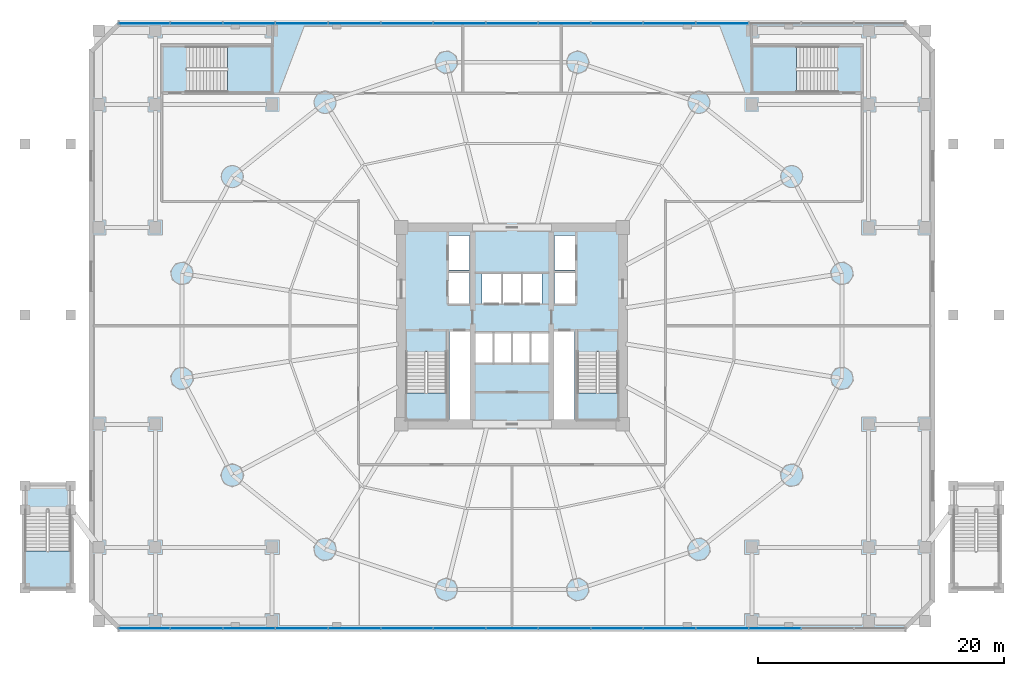
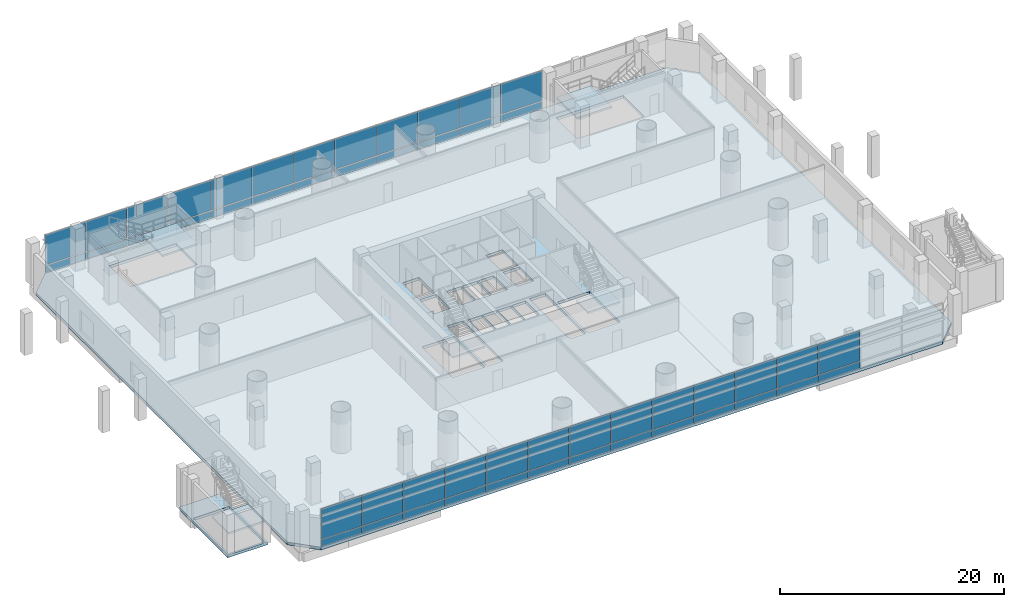
# One storey, part 19 of 36: 50 plates, 7 slabs, 7 elements without a shape of their own.
"""IFC4 building model written with IfcOpenShell, lengths in metres."""

from ifc_helpers import new_model, si_unit, direction, frame, origin, origin_2d, place, context, subcontext, project, spatial, polyline, rectangle, outline, extrude, source, transform, mapped, material, layer, layer_set, type_object, element, aggregate, save


model = new_model("IFC4")

# Units and contexts
model_context = context("Model", 3, precision=1e-05, world=origin(), true_north=direction((-0.2419218956, 0.970295726276)))
body_context = subcontext(model_context, "Body", "Model", "MODEL_VIEW")
ifc_project = project(units=[si_unit("LENGTHUNIT", "METRE"), si_unit("AREAUNIT", "SQUARE_METRE"), si_unit("VOLUMEUNIT", "CUBIC_METRE"), si_unit("PLANEANGLEUNIT", "RADIAN"), si_unit("MASSUNIT", "GRAM", prefix="KILO")], contexts=[model_context])

# Site, building, storey
site_placement = place(None, origin())
site = spatial("IfcSite", under=ifc_project, at=site_placement, CompositionType="ELEMENT")
building_placement = place(site_placement, origin())
building = spatial("IfcBuilding", under=site, at=building_placement, Name="Cobrevalo Terracotta Tower", CompositionType="ELEMENT")
storey_placement = place(building_placement, frame((0.0, 0.0, 5.39990234375)))
storey = spatial("IfcBuildingStorey", under=building, at=storey_placement, Name="L01", CompositionType="ELEMENT", Elevation=5.39990234375)

# Slabs
ifc_material_1 = material(Name="Concrete C50", Category="concrete")
ifc_layer_1 = layer(ifc_material_1, 0.300048828125)
ifc_layer_set_1 = layer_set([ifc_layer_1], Name="Concrete C50")
slab_type_1 = type_object("IfcSlabType", Name="Podium L01-L03 floor slab 300 mm", PredefinedType="FLOOR", material=ifc_layer_set_1)
slab_1_placement = place(storey_placement, frame((0.0, 0.0, -0.2998046875)))
element("IfcSlab", 1, at=slab_1_placement, inside=storey, type_object=slab_type_1, Name="L01 podium indoor floor slab", PredefinedType="FLOOR", context=body_context, shape_type="SweptSolid", body=[
    extrude(outline(polyline([(3.800048828125, 4.39990234375), (3.800048828125, 49.199951171875), (6.0, 51.39990234375), (70.0, 51.39990234375), (72.199951171875, 49.199951171875), (72.199951171875, 4.39990234375), (70.0, 2.199951171875), (6.0, 2.199951171875), (3.800048828125, 4.39990234375)]), holes=[polyline([(29.375, 19.175048828125), (32.695068359375, 19.175048828125), (32.695068359375, 24.659912109375), (29.375, 24.659912109375), (29.375, 19.175048828125)]), polyline([(34.574951171875, 19.175048828125), (34.574951171875, 26.360107421875), (32.919921875, 26.360107421875), (32.919921875, 19.175048828125), (34.574951171875, 19.175048828125)]), polyline([(36.47998046875, 23.800048828125), (36.47998046875, 26.25), (35.050048828125, 26.25), (35.050048828125, 23.800048828125), (36.47998046875, 23.800048828125)]), polyline([(37.9599609375, 23.800048828125), (37.9599609375, 26.25), (36.530029296875, 26.25), (36.530029296875, 23.800048828125), (37.9599609375, 23.800048828125)]), polyline([(37.1201171875, 28.60009765625), (37.1201171875, 31.050048828125), (35.550048828125, 31.050048828125), (35.550048828125, 28.60009765625), (37.1201171875, 28.60009765625)]), polyline([(38.780029296875, 28.60009765625), (38.780029296875, 31.050048828125), (37.219970703125, 31.050048828125), (37.219970703125, 28.60009765625), (38.780029296875, 28.60009765625)]), polyline([(34.550048828125, 28.60009765625), (34.550048828125, 31.10009765625), (32.85009765625, 31.10009765625), (32.85009765625, 28.60009765625), (34.550048828125, 28.60009765625)]), polyline([(34.550048828125, 31.35009765625), (34.550048828125, 34.14990234375), (32.85009765625, 34.14990234375), (32.85009765625, 31.35009765625), (34.550048828125, 31.35009765625)]), polyline([(18.449951171875, 45.800048828125), (18.449951171875, 49.52001953125), (11.5400390625, 49.52001953125), (11.5400390625, 45.800048828125), (18.449951171875, 45.800048828125)]), polyline([(43.304931640625, 19.175048828125), (46.625, 19.175048828125), (46.625, 24.659912109375), (43.304931640625, 24.659912109375), (43.304931640625, 19.175048828125)]), polyline([(43.080078125, 19.175048828125), (43.080078125, 26.360107421875), (41.425048828125, 26.360107421875), (41.425048828125, 19.175048828125), (43.080078125, 19.175048828125)]), polyline([(39.469970703125, 23.800048828125), (39.469970703125, 26.25), (38.0400390625, 26.25), (38.0400390625, 23.800048828125), (39.469970703125, 23.800048828125)]), polyline([(40.949951171875, 23.800048828125), (40.949951171875, 26.25), (39.52001953125, 26.25), (39.52001953125, 23.800048828125), (40.949951171875, 23.800048828125)]), polyline([(40.449951171875, 28.60009765625), (40.449951171875, 31.050048828125), (38.8798828125, 31.050048828125), (38.8798828125, 28.60009765625), (40.449951171875, 28.60009765625)]), polyline([(43.14990234375, 28.60009765625), (43.14990234375, 31.10009765625), (41.449951171875, 31.10009765625), (41.449951171875, 28.60009765625), (43.14990234375, 28.60009765625)]), polyline([(41.449951171875, 31.35009765625), (43.14990234375, 31.35009765625), (43.14990234375, 34.14990234375), (41.449951171875, 34.14990234375), (41.449951171875, 31.35009765625)]), polyline([(64.4599609375, 49.52001953125), (57.550048828125, 49.52001953125), (57.550048828125, 45.800048828125), (64.4599609375, 45.800048828125), (64.4599609375, 49.52001953125)])]), origin(), (0.0, 0.0, 1.0), 0.2998046875),
])
slab_2_placement = place(storey_placement, frame((0.0, 0.0, -0.2998046875)))
element("IfcSlab", 2, at=slab_2_placement, inside=storey, type_object=slab_type_1, Name="L01 West monumental raised-garden stair structural floor landing slab", PredefinedType="FLOOR", context=body_context, shape_type="SweptSolid", body=[
    extrude(outline(polyline([(-1.800048828125, 13.949951171875), (2.320068359375, 13.949951171875), (2.320068359375, 5.300048828125), (-1.800048828125, 5.300048828125), (-1.800048828125, 13.949951171875)]), holes=[polyline([(-1.60009765625, 5.5), (2.1201171875, 5.5), (2.1201171875, 11.800048828125), (-1.60009765625, 11.800048828125), (-1.60009765625, 5.5)])]), origin(), (0.0, 0.0, 1.0), 0.2998046875),
])

# Stair, slab
stair_type_1 = type_object("IfcStairType", Name="Core protected escape dogleg stair 1600", PredefinedType="HALF_TURN_STAIR", material=ifc_material_1)
stair_1_placement = place(storey_placement, origin())
stair_1 = element("IfcStair", 3, at=stair_1_placement, inside=storey, type_object=stair_type_1, Name="L01 Protected exit stair ST-1", PredefinedType="HALF_TURN_STAIR")
ifc_layer_2 = layer(ifc_material_1, 0.199951171875)
ifc_layer_set_2 = layer_set([ifc_layer_2], Name="Concrete C50")
slab_type_2 = type_object("IfcSlabType", Name="Reinforced Concrete Stair Landing 200", PredefinedType="LANDING", material=ifc_layer_set_2)
slab_3_placement = place(storey_placement, frame((0.0, 0.0, 2.050048828125)))
slab_3 = element("IfcSlab", 4, at=slab_3_placement, type_object=slab_type_2, Name="ST-1 landing 1", PredefinedType="LANDING", context=body_context, shape_type="SweptSolid", body=[
    extrude(outline(polyline([(29.375, 21.340087890625), (29.375, 19.175048828125), (32.695068359375, 19.175048828125), (32.695068359375, 21.340087890625), (29.375, 21.340087890625)])), origin(), (0.0, 0.0, 1.0), 0.199951171875),
])
aggregate(stair_1, [slab_3])

stair_2_placement = place(storey_placement, origin())
stair_2 = element("IfcStair", 5, at=stair_2_placement, inside=storey, type_object=stair_type_1, Name="L01 Protected exit stair ST-2", PredefinedType="HALF_TURN_STAIR")
slab_4_placement = place(storey_placement, frame((0.0, 0.0, 2.050048828125)))
slab_4 = element("IfcSlab", 6, at=slab_4_placement, type_object=slab_type_2, Name="ST-2 landing 1", PredefinedType="LANDING", context=body_context, shape_type="SweptSolid", body=[
    extrude(outline(polyline([(43.304931640625, 21.340087890625), (43.304931640625, 19.175048828125), (46.625, 19.175048828125), (46.625, 21.340087890625), (43.304931640625, 21.340087890625)])), origin(), (0.0, 0.0, 1.0), 0.199951171875),
])
aggregate(stair_2, [slab_4])

stair_type_2 = type_object("IfcStairType", Name="Podium concourse escape dogleg stair 1800", PredefinedType="HALF_TURN_STAIR", material=ifc_material_1)
stair_3_placement = place(storey_placement, origin())
stair_3 = element("IfcStair", 7, at=stair_3_placement, inside=storey, type_object=stair_type_2, Name="L01 Protected exit stair ST-P1", PredefinedType="HALF_TURN_STAIR")
slab_5_placement = place(storey_placement, frame((0.0, 0.0, 2.050048828125)))
slab_5 = element("IfcSlab", 8, at=slab_5_placement, type_object=slab_type_2, Name="ST-P1 landing 1", PredefinedType="LANDING", context=body_context, shape_type="SweptSolid", body=[
    extrude(outline(polyline([(14.860107421875, 45.800048828125), (18.449951171875, 45.800048828125), (18.449951171875, 49.52001953125), (14.860107421875, 49.52001953125), (14.860107421875, 45.800048828125)])), origin(), (0.0, 0.0, 1.0), 0.199951171875),
])
aggregate(stair_3, [slab_5])

stair_4_placement = place(storey_placement, origin())
stair_4 = element("IfcStair", 9, at=stair_4_placement, inside=storey, type_object=stair_type_2, Name="L01 Protected exit stair ST-P2", PredefinedType="HALF_TURN_STAIR")
slab_6_placement = place(storey_placement, frame((0.0, 0.0, 2.050048828125)))
slab_6 = element("IfcSlab", 10, at=slab_6_placement, type_object=slab_type_2, Name="ST-P2 landing 1", PredefinedType="LANDING", context=body_context, shape_type="SweptSolid", body=[
    extrude(outline(polyline([(61.139892578125, 49.52001953125), (57.550048828125, 49.52001953125), (57.550048828125, 45.800048828125), (61.139892578125, 45.800048828125), (61.139892578125, 49.52001953125)])), origin(), (0.0, 0.0, 1.0), 0.199951171875),
])
aggregate(stair_4, [slab_6])

ifc_material_2 = material(Name="Precast concrete C45", Category="concrete")
stair_type_3 = type_object("IfcStairType", Name="Monumental raised-garden dogleg stair 1850", PredefinedType="HALF_TURN_STAIR", material=ifc_material_2)
stair_5_placement = place(storey_placement, origin())
stair_5 = element("IfcStair", 11, at=stair_5_placement, inside=storey, type_object=stair_type_3, Name="L01 West monumental raised-garden stair", PredefinedType="HALF_TURN_STAIR")
slab_7_placement = place(storey_placement, frame((0.0, 0.0, 2.050048828125)))
slab_7 = element("IfcSlab", 12, at=slab_7_placement, type_object=slab_type_2, Name="ST-EXT-W landing 1", PredefinedType="LANDING", context=body_context, shape_type="SweptSolid", body=[
    extrude(outline(polyline([(-1.60009765625, 8.489990234375), (-1.60009765625, 5.5), (2.1201171875, 5.5), (2.1201171875, 8.489990234375), (-1.60009765625, 8.489990234375)])), origin(), (0.0, 0.0, 1.0), 0.199951171875),
])
aggregate(stair_5, [slab_7])

# Curtain wall, plate
ifc_material_3 = material(Name="Anodized aluminium", Category="aluminium")
curtain_wall_type = type_object("IfcCurtainWallType", Name="Double-height storefront stick curtain wall CW-S1", PredefinedType="NOTDEFINED", material=ifc_material_3)
curtain_wall_1_placement = place(storey_placement, origin())
curtain_wall_1 = element("IfcCurtainWall", 13, at=curtain_wall_1_placement, inside=storey, type_object=curtain_wall_type, Name="L01 curtain wall CW-POD-L01-S", PredefinedType="NOTDEFINED")
ifc_material_4 = material(Name="Terracotta-faced insulated spandrel", Category="masonry")
ifc_layer_3 = layer(ifc_material_4, 0.044921875)
ifc_layer_set_3 = layer_set([ifc_layer_3], Name="Terracotta-faced insulated spandrel")
plate_type_1 = type_object("IfcPlateType", Name="Insulated terracotta-faced spandrel cassette 45 mm", PredefinedType="CURTAIN_PANEL", material=ifc_layer_set_3)
shared_shape_1 = source(origin(), body_context, "Body", "SweptSolid", [
    extrude(rectangle(XDim=4.1533203125, YDim=0.044921875, at=origin_2d()), origin(), (0.0, 0.0, 1.0), 0.739990234375),
])
plate_1_placement = place(storey_placement, frame((8.106689453125, 2.199951171875, 0.0400390625), z_axis=(0.0, 0.0, 1.0), x_axis=(1.0, 0.0, 0.0)))
plate_1 = element("IfcPlate", 14, at=plate_1_placement, type_object=plate_type_1, Name="CW-POD-L01-S terracotta spandrel panel B01", PredefinedType="CURTAIN_PANEL", context=body_context, shape_type="MappedRepresentation", body=[
    mapped(shared_shape_1, transform((0.0, 0.0, 0.0), scale=1.0)),
])

curtain_wall_2_placement = place(storey_placement, origin())
curtain_wall_2 = element("IfcCurtainWall", 15, at=curtain_wall_2_placement, inside=storey, type_object=curtain_wall_type, Name="L01 curtain wall CW-POD-L01-N", PredefinedType="NOTDEFINED")
plate_2_placement = place(storey_placement, frame((8.106689453125, 51.39990234375, 0.0400390625), z_axis=(0.0, 0.0, 1.0), x_axis=(-1.0, 0.0, 0.0)))
plate_2 = element("IfcPlate", 16, at=plate_2_placement, type_object=plate_type_1, Name="CW-POD-L01-N terracotta spandrel panel B15", PredefinedType="CURTAIN_PANEL", context=body_context, shape_type="MappedRepresentation", body=[
    mapped(shared_shape_1, transform((0.0, 0.0, 0.0), scale=1.0)),
])

# Plate
ifc_material_5 = material(Name="Laminated low-E double glazing", Category="glass")
ifc_layer_4 = layer(ifc_material_5, 0.031982421875)
ifc_layer_set_4 = layer_set([ifc_layer_4], Name="Laminated low-E double glazing")
plate_type_2 = type_object("IfcPlateType", Name="Podium clear acoustic laminated glazing panel 32 mm", PredefinedType="CURTAIN_PANEL", material=ifc_layer_set_4)
shared_shape_2 = source(origin(), body_context, "Body", "SweptSolid", [
    extrude(rectangle(XDim=4.1533203125, YDim=0.035888671875, at=origin_2d()), origin(), (0.0, 0.0, 1.0), 3.300048828125),
])
plate_3_placement = place(storey_placement, frame((8.106689453125, 2.199951171875, 0.85986328125), z_axis=(0.0, 0.0, 1.0), x_axis=(1.0, 0.0, 0.0)))
plate_3 = element("IfcPlate", 17, at=plate_3_placement, type_object=plate_type_2, Name="CW-POD-L01-S glazing panel B01", PredefinedType="CURTAIN_PANEL", context=body_context, shape_type="MappedRepresentation", body=[
    mapped(shared_shape_2, transform((0.0, 0.0, 0.0), scale=1.0)),
])

plate_4_placement = place(storey_placement, frame((8.106689453125, 51.39990234375, 0.85986328125), z_axis=(0.0, 0.0, 1.0), x_axis=(-1.0, 0.0, 0.0)))
plate_4 = element("IfcPlate", 18, at=plate_4_placement, type_object=plate_type_2, Name="CW-POD-L01-N glazing panel B15", PredefinedType="CURTAIN_PANEL", context=body_context, shape_type="MappedRepresentation", body=[
    mapped(shared_shape_2, transform((0.0, 0.0, 0.0), scale=1.0)),
])

shared_shape_3 = source(origin(), body_context, "Body", "SweptSolid", [
    extrude(rectangle(XDim=4.193359375, YDim=0.044921875, at=origin_2d()), origin(), (0.0, 0.0, 1.0), 0.739990234375),
])
plate_5_placement = place(storey_placement, frame((12.360107421875, 2.199951171875, 0.0400390625), z_axis=(0.0, 0.0, 1.0), x_axis=(1.0, 0.0, 0.0)))
plate_5 = element("IfcPlate", 19, at=plate_5_placement, type_object=plate_type_1, Name="CW-POD-L01-S terracotta spandrel panel B02", PredefinedType="CURTAIN_PANEL", context=body_context, shape_type="MappedRepresentation", body=[
    mapped(shared_shape_3, transform((0.0, 0.0, 0.0), scale=1.0)),
])

plate_6_placement = place(storey_placement, frame((16.63330078125, 2.199951171875, 0.0400390625), z_axis=(0.0, 0.0, 1.0), x_axis=(1.0, 0.0, 0.0)))
plate_6 = element("IfcPlate", 20, at=plate_6_placement, type_object=plate_type_1, Name="CW-POD-L01-S terracotta spandrel panel B03", PredefinedType="CURTAIN_PANEL", context=body_context, shape_type="MappedRepresentation", body=[
    mapped(shared_shape_3, transform((0.0, 0.0, 0.0), scale=1.0)),
])

plate_7_placement = place(storey_placement, frame((20.90673828125, 2.199951171875, 0.0400390625), z_axis=(0.0, 0.0, 1.0), x_axis=(1.0, 0.0, 0.0)))
plate_7 = element("IfcPlate", 21, at=plate_7_placement, type_object=plate_type_1, Name="CW-POD-L01-S terracotta spandrel panel B04", PredefinedType="CURTAIN_PANEL", context=body_context, shape_type="MappedRepresentation", body=[
    mapped(shared_shape_3, transform((0.0, 0.0, 0.0), scale=1.0)),
])

plate_8_placement = place(storey_placement, frame((25.179931640625, 2.199951171875, 0.0400390625), z_axis=(0.0, 0.0, 1.0), x_axis=(1.0, 0.0, 0.0)))
plate_8 = element("IfcPlate", 22, at=plate_8_placement, type_object=plate_type_1, Name="CW-POD-L01-S terracotta spandrel panel B05", PredefinedType="CURTAIN_PANEL", context=body_context, shape_type="MappedRepresentation", body=[
    mapped(shared_shape_3, transform((0.0, 0.0, 0.0), scale=1.0)),
])

plate_9_placement = place(storey_placement, frame((29.453369140625, 2.199951171875, 0.0400390625), z_axis=(0.0, 0.0, 1.0), x_axis=(1.0, 0.0, 0.0)))
plate_9 = element("IfcPlate", 23, at=plate_9_placement, type_object=plate_type_1, Name="CW-POD-L01-S terracotta spandrel panel B06", PredefinedType="CURTAIN_PANEL", context=body_context, shape_type="MappedRepresentation", body=[
    mapped(shared_shape_3, transform((0.0, 0.0, 0.0), scale=1.0)),
])

plate_10_placement = place(storey_placement, frame((33.7265625, 2.199951171875, 0.0400390625), z_axis=(0.0, 0.0, 1.0), x_axis=(1.0, 0.0, 0.0)))
plate_10 = element("IfcPlate", 24, at=plate_10_placement, type_object=plate_type_1, Name="CW-POD-L01-S terracotta spandrel panel B07", PredefinedType="CURTAIN_PANEL", context=body_context, shape_type="MappedRepresentation", body=[
    mapped(shared_shape_3, transform((0.0, 0.0, 0.0), scale=1.0)),
])

plate_11_placement = place(storey_placement, frame((38.0, 2.199951171875, 0.0400390625), z_axis=(0.0, 0.0, 1.0), x_axis=(1.0, 0.0, 0.0)))
plate_11 = element("IfcPlate", 25, at=plate_11_placement, type_object=plate_type_1, Name="CW-POD-L01-S terracotta spandrel panel B08", PredefinedType="CURTAIN_PANEL", context=body_context, shape_type="MappedRepresentation", body=[
    mapped(shared_shape_3, transform((0.0, 0.0, 0.0), scale=1.0)),
])

plate_12_placement = place(storey_placement, frame((42.2734375, 2.199951171875, 0.0400390625), z_axis=(0.0, 0.0, 1.0), x_axis=(1.0, 0.0, 0.0)))
plate_12 = element("IfcPlate", 26, at=plate_12_placement, type_object=plate_type_1, Name="CW-POD-L01-S terracotta spandrel panel B09", PredefinedType="CURTAIN_PANEL", context=body_context, shape_type="MappedRepresentation", body=[
    mapped(shared_shape_3, transform((0.0, 0.0, 0.0), scale=1.0)),
])

plate_13_placement = place(storey_placement, frame((46.546630859375, 2.199951171875, 0.0400390625), z_axis=(0.0, 0.0, 1.0), x_axis=(1.0, 0.0, 0.0)))
plate_13 = element("IfcPlate", 27, at=plate_13_placement, type_object=plate_type_1, Name="CW-POD-L01-S terracotta spandrel panel B10", PredefinedType="CURTAIN_PANEL", context=body_context, shape_type="MappedRepresentation", body=[
    mapped(shared_shape_3, transform((0.0, 0.0, 0.0), scale=1.0)),
])

plate_14_placement = place(storey_placement, frame((50.820068359375, 2.199951171875, 0.0400390625), z_axis=(0.0, 0.0, 1.0), x_axis=(1.0, 0.0, 0.0)))
plate_14 = element("IfcPlate", 28, at=plate_14_placement, type_object=plate_type_1, Name="CW-POD-L01-S terracotta spandrel panel B11", PredefinedType="CURTAIN_PANEL", context=body_context, shape_type="MappedRepresentation", body=[
    mapped(shared_shape_3, transform((0.0, 0.0, 0.0), scale=1.0)),
])

plate_15_placement = place(storey_placement, frame((55.09326171875, 2.199951171875, 0.0400390625), z_axis=(0.0, 0.0, 1.0), x_axis=(1.0, 0.0, 0.0)))
plate_15 = element("IfcPlate", 29, at=plate_15_placement, type_object=plate_type_1, Name="CW-POD-L01-S terracotta spandrel panel B12", PredefinedType="CURTAIN_PANEL", context=body_context, shape_type="MappedRepresentation", body=[
    mapped(shared_shape_3, transform((0.0, 0.0, 0.0), scale=1.0)),
])

plate_16_placement = place(storey_placement, frame((59.36669921875, 2.199951171875, 0.0400390625), z_axis=(0.0, 0.0, 1.0), x_axis=(1.0, 0.0, 0.0)))
plate_16 = element("IfcPlate", 30, at=plate_16_placement, type_object=plate_type_1, Name="CW-POD-L01-S terracotta spandrel panel B13", PredefinedType="CURTAIN_PANEL", context=body_context, shape_type="MappedRepresentation", body=[
    mapped(shared_shape_3, transform((0.0, 0.0, 0.0), scale=1.0)),
])

plate_17_placement = place(storey_placement, frame((55.09326171875, 51.39990234375, 0.0400390625), z_axis=(0.0, 0.0, 1.0), x_axis=(-1.0, 0.0, 0.0)))
plate_17 = element("IfcPlate", 31, at=plate_17_placement, type_object=plate_type_1, Name="CW-POD-L01-N terracotta spandrel panel B04", PredefinedType="CURTAIN_PANEL", context=body_context, shape_type="MappedRepresentation", body=[
    mapped(shared_shape_3, transform((0.0, 0.0, 0.0), scale=1.0)),
])

plate_18_placement = place(storey_placement, frame((50.820068359375, 51.39990234375, 0.0400390625), z_axis=(0.0, 0.0, 1.0), x_axis=(-1.0, 0.0, 0.0)))
plate_18 = element("IfcPlate", 32, at=plate_18_placement, type_object=plate_type_1, Name="CW-POD-L01-N terracotta spandrel panel B05", PredefinedType="CURTAIN_PANEL", context=body_context, shape_type="MappedRepresentation", body=[
    mapped(shared_shape_3, transform((0.0, 0.0, 0.0), scale=1.0)),
])

plate_19_placement = place(storey_placement, frame((46.546630859375, 51.39990234375, 0.0400390625), z_axis=(0.0, 0.0, 1.0), x_axis=(-1.0, 0.0, 0.0)))
plate_19 = element("IfcPlate", 33, at=plate_19_placement, type_object=plate_type_1, Name="CW-POD-L01-N terracotta spandrel panel B06", PredefinedType="CURTAIN_PANEL", context=body_context, shape_type="MappedRepresentation", body=[
    mapped(shared_shape_3, transform((0.0, 0.0, 0.0), scale=1.0)),
])

plate_20_placement = place(storey_placement, frame((42.2734375, 51.39990234375, 0.0400390625), z_axis=(0.0, 0.0, 1.0), x_axis=(-1.0, 0.0, 0.0)))
plate_20 = element("IfcPlate", 34, at=plate_20_placement, type_object=plate_type_1, Name="CW-POD-L01-N terracotta spandrel panel B07", PredefinedType="CURTAIN_PANEL", context=body_context, shape_type="MappedRepresentation", body=[
    mapped(shared_shape_3, transform((0.0, 0.0, 0.0), scale=1.0)),
])

plate_21_placement = place(storey_placement, frame((38.0, 51.39990234375, 0.0400390625), z_axis=(0.0, 0.0, 1.0), x_axis=(-1.0, 0.0, 0.0)))
plate_21 = element("IfcPlate", 35, at=plate_21_placement, type_object=plate_type_1, Name="CW-POD-L01-N terracotta spandrel panel B08", PredefinedType="CURTAIN_PANEL", context=body_context, shape_type="MappedRepresentation", body=[
    mapped(shared_shape_3, transform((0.0, 0.0, 0.0), scale=1.0)),
])

plate_22_placement = place(storey_placement, frame((33.7265625, 51.39990234375, 0.0400390625), z_axis=(0.0, 0.0, 1.0), x_axis=(-1.0, 0.0, 0.0)))
plate_22 = element("IfcPlate", 36, at=plate_22_placement, type_object=plate_type_1, Name="CW-POD-L01-N terracotta spandrel panel B09", PredefinedType="CURTAIN_PANEL", context=body_context, shape_type="MappedRepresentation", body=[
    mapped(shared_shape_3, transform((0.0, 0.0, 0.0), scale=1.0)),
])

plate_23_placement = place(storey_placement, frame((29.453369140625, 51.39990234375, 0.0400390625), z_axis=(0.0, 0.0, 1.0), x_axis=(-1.0, 0.0, 0.0)))
plate_23 = element("IfcPlate", 37, at=plate_23_placement, type_object=plate_type_1, Name="CW-POD-L01-N terracotta spandrel panel B10", PredefinedType="CURTAIN_PANEL", context=body_context, shape_type="MappedRepresentation", body=[
    mapped(shared_shape_3, transform((0.0, 0.0, 0.0), scale=1.0)),
])

plate_24_placement = place(storey_placement, frame((25.179931640625, 51.39990234375, 0.0400390625), z_axis=(0.0, 0.0, 1.0), x_axis=(-1.0, 0.0, 0.0)))
plate_24 = element("IfcPlate", 38, at=plate_24_placement, type_object=plate_type_1, Name="CW-POD-L01-N terracotta spandrel panel B11", PredefinedType="CURTAIN_PANEL", context=body_context, shape_type="MappedRepresentation", body=[
    mapped(shared_shape_3, transform((0.0, 0.0, 0.0), scale=1.0)),
])

plate_25_placement = place(storey_placement, frame((20.90673828125, 51.39990234375, 0.0400390625), z_axis=(0.0, 0.0, 1.0), x_axis=(-1.0, 0.0, 0.0)))
plate_25 = element("IfcPlate", 39, at=plate_25_placement, type_object=plate_type_1, Name="CW-POD-L01-N terracotta spandrel panel B12", PredefinedType="CURTAIN_PANEL", context=body_context, shape_type="MappedRepresentation", body=[
    mapped(shared_shape_3, transform((0.0, 0.0, 0.0), scale=1.0)),
])

plate_26_placement = place(storey_placement, frame((16.63330078125, 51.39990234375, 0.0400390625), z_axis=(0.0, 0.0, 1.0), x_axis=(-1.0, 0.0, 0.0)))
plate_26 = element("IfcPlate", 40, at=plate_26_placement, type_object=plate_type_1, Name="CW-POD-L01-N terracotta spandrel panel B13", PredefinedType="CURTAIN_PANEL", context=body_context, shape_type="MappedRepresentation", body=[
    mapped(shared_shape_3, transform((0.0, 0.0, 0.0), scale=1.0)),
])

plate_27_placement = place(storey_placement, frame((12.360107421875, 51.39990234375, 0.0400390625), z_axis=(0.0, 0.0, 1.0), x_axis=(-1.0, 0.0, 0.0)))
plate_27 = element("IfcPlate", 41, at=plate_27_placement, type_object=plate_type_1, Name="CW-POD-L01-N terracotta spandrel panel B14", PredefinedType="CURTAIN_PANEL", context=body_context, shape_type="MappedRepresentation", body=[
    mapped(shared_shape_3, transform((0.0, 0.0, 0.0), scale=1.0)),
])

shared_shape_4 = source(origin(), body_context, "Body", "SweptSolid", [
    extrude(rectangle(XDim=4.193359375, YDim=0.035888671875, at=origin_2d()), origin(), (0.0, 0.0, 1.0), 3.300048828125),
])
plate_28_placement = place(storey_placement, frame((12.360107421875, 2.199951171875, 0.85986328125), z_axis=(0.0, 0.0, 1.0), x_axis=(1.0, 0.0, 0.0)))
plate_28 = element("IfcPlate", 42, at=plate_28_placement, type_object=plate_type_2, Name="CW-POD-L01-S glazing panel B02", PredefinedType="CURTAIN_PANEL", context=body_context, shape_type="MappedRepresentation", body=[
    mapped(shared_shape_4, transform((0.0, 0.0, 0.0), scale=1.0)),
])

plate_29_placement = place(storey_placement, frame((16.63330078125, 2.199951171875, 0.85986328125), z_axis=(0.0, 0.0, 1.0), x_axis=(1.0, 0.0, 0.0)))
plate_29 = element("IfcPlate", 43, at=plate_29_placement, type_object=plate_type_2, Name="CW-POD-L01-S glazing panel B03", PredefinedType="CURTAIN_PANEL", context=body_context, shape_type="MappedRepresentation", body=[
    mapped(shared_shape_4, transform((0.0, 0.0, 0.0), scale=1.0)),
])

plate_30_placement = place(storey_placement, frame((20.90673828125, 2.199951171875, 0.85986328125), z_axis=(0.0, 0.0, 1.0), x_axis=(1.0, 0.0, 0.0)))
plate_30 = element("IfcPlate", 44, at=plate_30_placement, type_object=plate_type_2, Name="CW-POD-L01-S glazing panel B04", PredefinedType="CURTAIN_PANEL", context=body_context, shape_type="MappedRepresentation", body=[
    mapped(shared_shape_4, transform((0.0, 0.0, 0.0), scale=1.0)),
])

plate_31_placement = place(storey_placement, frame((25.179931640625, 2.199951171875, 0.85986328125), z_axis=(0.0, 0.0, 1.0), x_axis=(1.0, 0.0, 0.0)))
plate_31 = element("IfcPlate", 45, at=plate_31_placement, type_object=plate_type_2, Name="CW-POD-L01-S glazing panel B05", PredefinedType="CURTAIN_PANEL", context=body_context, shape_type="MappedRepresentation", body=[
    mapped(shared_shape_4, transform((0.0, 0.0, 0.0), scale=1.0)),
])

plate_32_placement = place(storey_placement, frame((29.453369140625, 2.199951171875, 0.85986328125), z_axis=(0.0, 0.0, 1.0), x_axis=(1.0, 0.0, 0.0)))
plate_32 = element("IfcPlate", 46, at=plate_32_placement, type_object=plate_type_2, Name="CW-POD-L01-S glazing panel B06", PredefinedType="CURTAIN_PANEL", context=body_context, shape_type="MappedRepresentation", body=[
    mapped(shared_shape_4, transform((0.0, 0.0, 0.0), scale=1.0)),
])

plate_33_placement = place(storey_placement, frame((33.7265625, 2.199951171875, 0.85986328125), z_axis=(0.0, 0.0, 1.0), x_axis=(1.0, 0.0, 0.0)))
plate_33 = element("IfcPlate", 47, at=plate_33_placement, type_object=plate_type_2, Name="CW-POD-L01-S glazing panel B07", PredefinedType="CURTAIN_PANEL", context=body_context, shape_type="MappedRepresentation", body=[
    mapped(shared_shape_4, transform((0.0, 0.0, 0.0), scale=1.0)),
])

plate_34_placement = place(storey_placement, frame((38.0, 2.199951171875, 0.85986328125), z_axis=(0.0, 0.0, 1.0), x_axis=(1.0, 0.0, 0.0)))
plate_34 = element("IfcPlate", 48, at=plate_34_placement, type_object=plate_type_2, Name="CW-POD-L01-S glazing panel B08", PredefinedType="CURTAIN_PANEL", context=body_context, shape_type="MappedRepresentation", body=[
    mapped(shared_shape_4, transform((0.0, 0.0, 0.0), scale=1.0)),
])

plate_35_placement = place(storey_placement, frame((42.2734375, 2.199951171875, 0.85986328125), z_axis=(0.0, 0.0, 1.0), x_axis=(1.0, 0.0, 0.0)))
plate_35 = element("IfcPlate", 49, at=plate_35_placement, type_object=plate_type_2, Name="CW-POD-L01-S glazing panel B09", PredefinedType="CURTAIN_PANEL", context=body_context, shape_type="MappedRepresentation", body=[
    mapped(shared_shape_4, transform((0.0, 0.0, 0.0), scale=1.0)),
])

plate_36_placement = place(storey_placement, frame((46.546630859375, 2.199951171875, 0.85986328125), z_axis=(0.0, 0.0, 1.0), x_axis=(1.0, 0.0, 0.0)))
plate_36 = element("IfcPlate", 50, at=plate_36_placement, type_object=plate_type_2, Name="CW-POD-L01-S glazing panel B10", PredefinedType="CURTAIN_PANEL", context=body_context, shape_type="MappedRepresentation", body=[
    mapped(shared_shape_4, transform((0.0, 0.0, 0.0), scale=1.0)),
])

plate_37_placement = place(storey_placement, frame((50.820068359375, 2.199951171875, 0.85986328125), z_axis=(0.0, 0.0, 1.0), x_axis=(1.0, 0.0, 0.0)))
plate_37 = element("IfcPlate", 51, at=plate_37_placement, type_object=plate_type_2, Name="CW-POD-L01-S glazing panel B11", PredefinedType="CURTAIN_PANEL", context=body_context, shape_type="MappedRepresentation", body=[
    mapped(shared_shape_4, transform((0.0, 0.0, 0.0), scale=1.0)),
])

plate_38_placement = place(storey_placement, frame((55.09326171875, 2.199951171875, 0.85986328125), z_axis=(0.0, 0.0, 1.0), x_axis=(1.0, 0.0, 0.0)))
plate_38 = element("IfcPlate", 52, at=plate_38_placement, type_object=plate_type_2, Name="CW-POD-L01-S glazing panel B12", PredefinedType="CURTAIN_PANEL", context=body_context, shape_type="MappedRepresentation", body=[
    mapped(shared_shape_4, transform((0.0, 0.0, 0.0), scale=1.0)),
])

plate_39_placement = place(storey_placement, frame((59.36669921875, 2.199951171875, 0.85986328125), z_axis=(0.0, 0.0, 1.0), x_axis=(1.0, 0.0, 0.0)))
plate_39 = element("IfcPlate", 53, at=plate_39_placement, type_object=plate_type_2, Name="CW-POD-L01-S glazing panel B13", PredefinedType="CURTAIN_PANEL", context=body_context, shape_type="MappedRepresentation", body=[
    mapped(shared_shape_4, transform((0.0, 0.0, 0.0), scale=1.0)),
])

aggregate(curtain_wall_1, [plate_1, plate_3, plate_5, plate_28, plate_6, plate_29, plate_7, plate_30, plate_8, plate_31, plate_9, plate_32, plate_10, plate_33, plate_11, plate_34, plate_12, plate_35, plate_13, plate_36, plate_14, plate_37, plate_15, plate_38, plate_16, plate_39])

plate_40_placement = place(storey_placement, frame((55.09326171875, 51.39990234375, 0.85986328125), z_axis=(0.0, 0.0, 1.0), x_axis=(-1.0, 0.0, 0.0)))
plate_40 = element("IfcPlate", 54, at=plate_40_placement, type_object=plate_type_2, Name="CW-POD-L01-N glazing panel B04", PredefinedType="CURTAIN_PANEL", context=body_context, shape_type="MappedRepresentation", body=[
    mapped(shared_shape_4, transform((0.0, 0.0, 0.0), scale=1.0)),
])

plate_41_placement = place(storey_placement, frame((50.820068359375, 51.39990234375, 0.85986328125), z_axis=(0.0, 0.0, 1.0), x_axis=(-1.0, 0.0, 0.0)))
plate_41 = element("IfcPlate", 55, at=plate_41_placement, type_object=plate_type_2, Name="CW-POD-L01-N glazing panel B05", PredefinedType="CURTAIN_PANEL", context=body_context, shape_type="MappedRepresentation", body=[
    mapped(shared_shape_4, transform((0.0, 0.0, 0.0), scale=1.0)),
])

plate_42_placement = place(storey_placement, frame((46.546630859375, 51.39990234375, 0.85986328125), z_axis=(0.0, 0.0, 1.0), x_axis=(-1.0, 0.0, 0.0)))
plate_42 = element("IfcPlate", 56, at=plate_42_placement, type_object=plate_type_2, Name="CW-POD-L01-N glazing panel B06", PredefinedType="CURTAIN_PANEL", context=body_context, shape_type="MappedRepresentation", body=[
    mapped(shared_shape_4, transform((0.0, 0.0, 0.0), scale=1.0)),
])

plate_43_placement = place(storey_placement, frame((42.2734375, 51.39990234375, 0.85986328125), z_axis=(0.0, 0.0, 1.0), x_axis=(-1.0, 0.0, 0.0)))
plate_43 = element("IfcPlate", 57, at=plate_43_placement, type_object=plate_type_2, Name="CW-POD-L01-N glazing panel B07", PredefinedType="CURTAIN_PANEL", context=body_context, shape_type="MappedRepresentation", body=[
    mapped(shared_shape_4, transform((0.0, 0.0, 0.0), scale=1.0)),
])

plate_44_placement = place(storey_placement, frame((38.0, 51.39990234375, 0.85986328125), z_axis=(0.0, 0.0, 1.0), x_axis=(-1.0, 0.0, 0.0)))
plate_44 = element("IfcPlate", 58, at=plate_44_placement, type_object=plate_type_2, Name="CW-POD-L01-N glazing panel B08", PredefinedType="CURTAIN_PANEL", context=body_context, shape_type="MappedRepresentation", body=[
    mapped(shared_shape_4, transform((0.0, 0.0, 0.0), scale=1.0)),
])

plate_45_placement = place(storey_placement, frame((33.7265625, 51.39990234375, 0.85986328125), z_axis=(0.0, 0.0, 1.0), x_axis=(-1.0, 0.0, 0.0)))
plate_45 = element("IfcPlate", 59, at=plate_45_placement, type_object=plate_type_2, Name="CW-POD-L01-N glazing panel B09", PredefinedType="CURTAIN_PANEL", context=body_context, shape_type="MappedRepresentation", body=[
    mapped(shared_shape_4, transform((0.0, 0.0, 0.0), scale=1.0)),
])

plate_46_placement = place(storey_placement, frame((29.453369140625, 51.39990234375, 0.85986328125), z_axis=(0.0, 0.0, 1.0), x_axis=(-1.0, 0.0, 0.0)))
plate_46 = element("IfcPlate", 60, at=plate_46_placement, type_object=plate_type_2, Name="CW-POD-L01-N glazing panel B10", PredefinedType="CURTAIN_PANEL", context=body_context, shape_type="MappedRepresentation", body=[
    mapped(shared_shape_4, transform((0.0, 0.0, 0.0), scale=1.0)),
])

plate_47_placement = place(storey_placement, frame((25.179931640625, 51.39990234375, 0.85986328125), z_axis=(0.0, 0.0, 1.0), x_axis=(-1.0, 0.0, 0.0)))
plate_47 = element("IfcPlate", 61, at=plate_47_placement, type_object=plate_type_2, Name="CW-POD-L01-N glazing panel B11", PredefinedType="CURTAIN_PANEL", context=body_context, shape_type="MappedRepresentation", body=[
    mapped(shared_shape_4, transform((0.0, 0.0, 0.0), scale=1.0)),
])

plate_48_placement = place(storey_placement, frame((20.90673828125, 51.39990234375, 0.85986328125), z_axis=(0.0, 0.0, 1.0), x_axis=(-1.0, 0.0, 0.0)))
plate_48 = element("IfcPlate", 62, at=plate_48_placement, type_object=plate_type_2, Name="CW-POD-L01-N glazing panel B12", PredefinedType="CURTAIN_PANEL", context=body_context, shape_type="MappedRepresentation", body=[
    mapped(shared_shape_4, transform((0.0, 0.0, 0.0), scale=1.0)),
])

plate_49_placement = place(storey_placement, frame((16.63330078125, 51.39990234375, 0.85986328125), z_axis=(0.0, 0.0, 1.0), x_axis=(-1.0, 0.0, 0.0)))
plate_49 = element("IfcPlate", 63, at=plate_49_placement, type_object=plate_type_2, Name="CW-POD-L01-N glazing panel B13", PredefinedType="CURTAIN_PANEL", context=body_context, shape_type="MappedRepresentation", body=[
    mapped(shared_shape_4, transform((0.0, 0.0, 0.0), scale=1.0)),
])

plate_50_placement = place(storey_placement, frame((12.360107421875, 51.39990234375, 0.85986328125), z_axis=(0.0, 0.0, 1.0), x_axis=(-1.0, 0.0, 0.0)))
plate_50 = element("IfcPlate", 64, at=plate_50_placement, type_object=plate_type_2, Name="CW-POD-L01-N glazing panel B14", PredefinedType="CURTAIN_PANEL", context=body_context, shape_type="MappedRepresentation", body=[
    mapped(shared_shape_4, transform((0.0, 0.0, 0.0), scale=1.0)),
])

aggregate(curtain_wall_2, [plate_17, plate_40, plate_18, plate_41, plate_19, plate_42, plate_20, plate_43, plate_21, plate_44, plate_22, plate_45, plate_23, plate_46, plate_24, plate_47, plate_25, plate_48, plate_26, plate_49, plate_27, plate_50, plate_2, plate_4])

save(model, "model.ifc")
